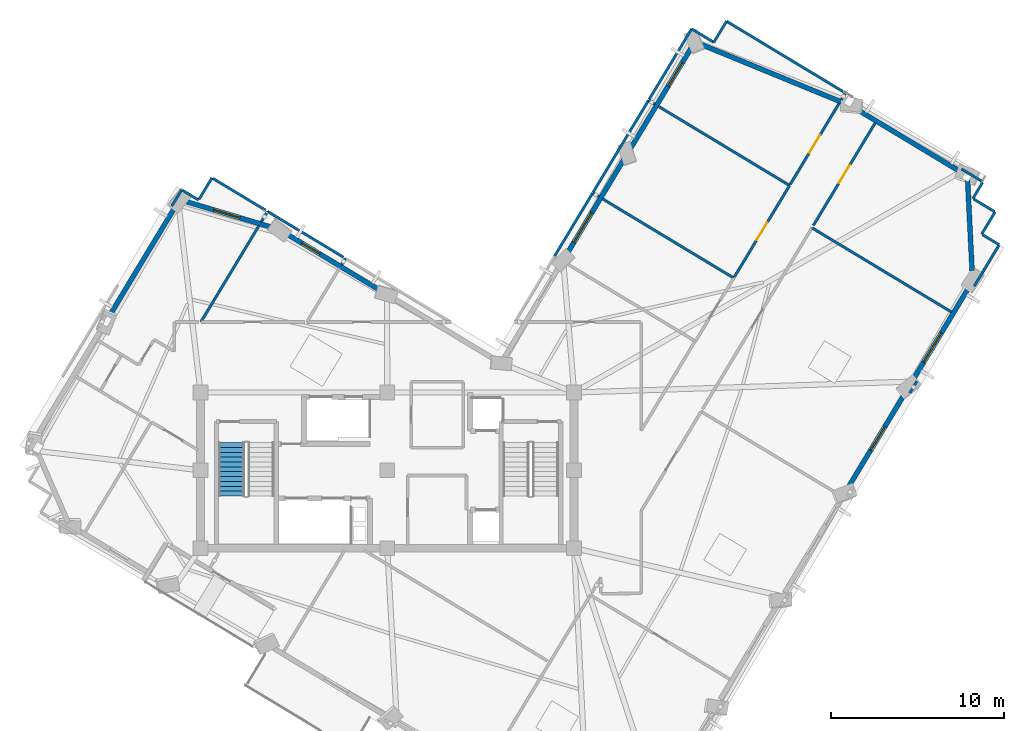
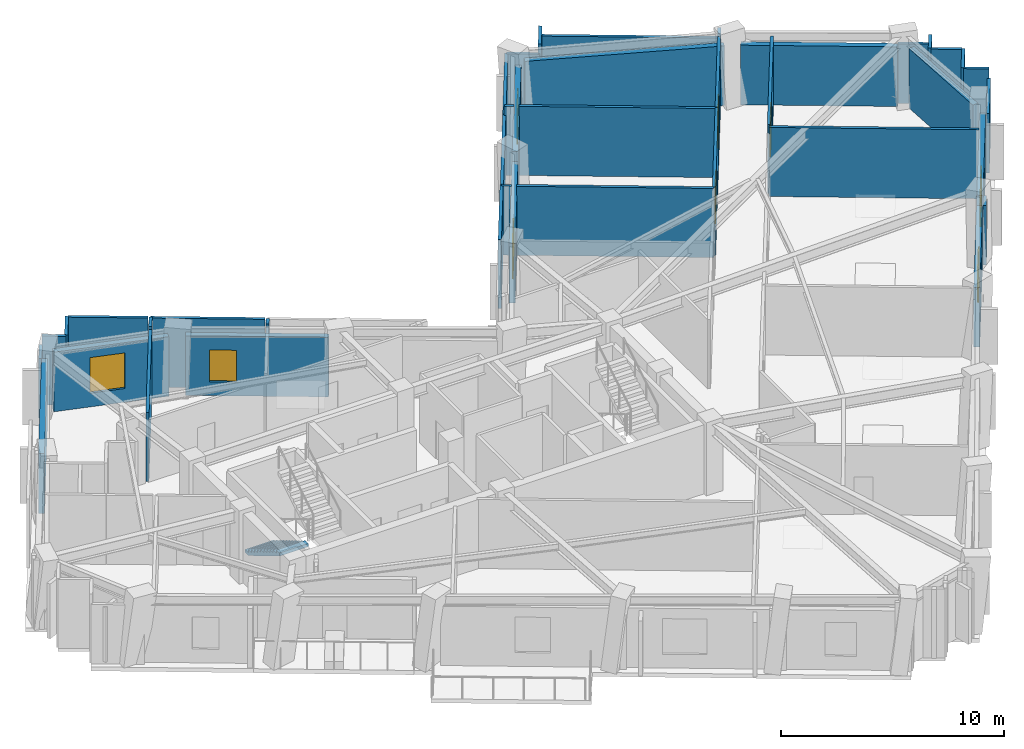
# One storey, part 7 of 12: 40 walls, 6 windows, 3 doors, 1 stair flight, 9 openings, 1 element without a shape of its own.
"""IFC4 building model written with IfcOpenShell, lengths in metres."""

from ifc_helpers import new_model, si_unit, direction, frame, frame_2d, origin, place, context, subcontext, project, spatial, polyline, rectangle, outline, extrude, material, layer, layer_set, type_object, element, fill, aggregate, save


model = new_model("IFC4")

# Units and contexts
model_context = context("Model", 3, precision=1e-05, world=origin(), true_north=direction((0.0, 1.0)))
body_context = subcontext(model_context, "Body", "Model", "MODEL_VIEW")
ifc_project = project(units=[si_unit("LENGTHUNIT", "METRE"), si_unit("AREAUNIT", "SQUARE_METRE"), si_unit("VOLUMEUNIT", "CUBIC_METRE"), si_unit("PLANEANGLEUNIT", "RADIAN"), si_unit("MASSUNIT", "GRAM", prefix="KILO")], contexts=[model_context])

# Site, building, storey
site_placement = place(None, origin())
site = spatial("IfcSite", under=ifc_project, at=site_placement, CompositionType="ELEMENT")
building_placement = place(site_placement, origin())
building = spatial("IfcBuilding", under=site, at=building_placement, Name="Gaonmaruhae Medical Tower", CompositionType="ELEMENT")
storey_placement = place(building_placement, frame((0.0, 0.0, 276.60009765625)))
storey = spatial("IfcBuildingStorey", under=building, at=storey_placement, Name="L66", CompositionType="ELEMENT", Elevation=276.60009765625)

# Wall, opening, window
ifc_material_1 = material(Name="Precast concrete C45/55", Category="concrete")
ifc_layer_1 = layer(ifc_material_1, 0.280029296875)
ifc_layer_set_1 = layer_set([ifc_layer_1], Name="Precast concrete C45/55")
wall_type_1 = type_object("IfcWallType", Name="EW-280 Upper Precast Masonry-Frame Facade Wall", PredefinedType="SOLIDWALL", material=ifc_layer_set_1)
wall_1_placement = place(storey_placement, frame((54.8154296875, 16.8935546875, 0.0), z_axis=(0.0, 0.0, 1.0), x_axis=(-0.516539738379, -0.856263218102, 0.0)))
wall_1 = element("IfcWall", 1, at=wall_1_placement, inside=storey, type_object=wall_type_1, Name="L66 Precast Masonry-Frame Wall S04-S05", PredefinedType="SOLIDWALL", context=body_context, shape_type="SweptSolid", body=[
    extrude(rectangle(XDim=6.40673828125, YDim=0.280029296875, at=frame_2d((3.203369140625, 0.0))), origin(), (0.0, 0.0, 1.0), 3.264892578125),
])
opening_1_placement = place(wall_1_placement, frame((2.40380859375, 0.0, 0.75)))
opening_1 = element("IfcOpeningElement", 2, at=opening_1_placement, cuts=wall_1, Name="Opening WN-01", PredefinedType="OPENING", context=body_context, shape_type="SweptSolid", body=[
    extrude(rectangle(XDim=1.60009765625, YDim=1.949951171875, at=frame_2d((0.800048828125, 0.97509765625))), frame((0.0, 0.14990234375, 0.0), z_axis=(0.0, -1.0, 0.0), x_axis=(1.0, 0.0, 0.0)), (0.0, 0.0, 1.0), 0.300048828125),
])
ifc_material_2 = material(Name="Anodised aluminium and Low-E double glazing", Category="aluminium")
window_type_1 = type_object("IfcWindowType", Name="WN-01 Ward Punched Acoustic Window 1600x1950", PartitioningType="SINGLE_PANEL", PredefinedType="WINDOW", material=ifc_material_2)
window_1_placement = place(opening_1_placement, origin())
window_1 = element("IfcWindow", 3, at=window_1_placement, inside=storey, type_object=window_type_1, Name="L66 Modular Facade Window S04", OverallHeight=1.949951171875, OverallWidth=1.60009765625, PartitioningType="SINGLE_PANEL", PredefinedType="WINDOW", context=body_context, shape_type="SweptSolid", body=[
    extrude(rectangle(XDim=1.60009765625, YDim=1.949951171875, at=frame_2d((0.800048828125, 0.97509765625))), frame((0.0, 0.030029296875, 0.0), z_axis=(0.0, -1.0, 0.0), x_axis=(1.0, 0.0, 0.0)), (0.0, 0.0, 1.0), 0.06005859375),
])
fill(opening_1, window_1)

wall_2_placement = place(storey_placement, frame((58.53955078125, 23.067138671875, 0.0), z_axis=(0.0, 0.0, 1.0), x_axis=(-0.51654717901, -0.856258729507, 0.0)))
wall_2 = element("IfcWall", 4, at=wall_2_placement, inside=storey, type_object=wall_type_1, Name="L66 Precast Masonry-Frame Wall S05-S06", PredefinedType="SOLIDWALL", context=body_context, shape_type="SweptSolid", body=[
    extrude(rectangle(XDim=6.41845703125, YDim=0.280029296875, at=frame_2d((3.209228515625, 0.0))), origin(), (0.0, 0.0, 1.0), 3.264892578125),
])
opening_2_placement = place(wall_2_placement, frame((3.292724609375, 0.0, 0.75)))
opening_2 = element("IfcOpeningElement", 5, at=opening_2_placement, cuts=wall_2, Name="Opening WN-02", PredefinedType="OPENING", context=body_context, shape_type="SweptSolid", body=[
    extrude(rectangle(XDim=2.0, YDim=1.949951171875, at=frame_2d((1.0, 0.97509765625))), frame((0.0, 0.14990234375, 0.0), z_axis=(0.0, -1.0, 0.0), x_axis=(1.0, 0.0, 0.0)), (0.0, 0.0, 1.0), 0.300048828125),
])
window_type_2 = type_object("IfcWindowType", Name="WN-02 Double-Bed Ward Punched Window 2000x1950", PartitioningType="SINGLE_PANEL", PredefinedType="WINDOW", material=ifc_material_2)
window_2_placement = place(opening_2_placement, origin())
window_2 = element("IfcWindow", 6, at=window_2_placement, inside=storey, type_object=window_type_2, Name="L66 Modular Facade Window S05", OverallHeight=1.949951171875, OverallWidth=2.0, PartitioningType="SINGLE_PANEL", PredefinedType="WINDOW", context=body_context, shape_type="SweptSolid", body=[
    extrude(rectangle(XDim=2.0, YDim=1.949951171875, at=frame_2d((1.0, 0.97509765625))), frame((0.0, 0.030029296875, 0.0), z_axis=(0.0, -1.0, 0.0), x_axis=(1.0, 0.0, 0.0)), (0.0, 0.0, 1.0), 0.06005859375),
])
fill(opening_2, window_2)

# Walls
wall_3_placement = place(storey_placement, frame((58.350341796875, 29.13037109375, 0.0), z_axis=(0.0, 0.0, 1.0), x_axis=(0.049760507536, -0.998761178606, 0.0)))
element("IfcWall", 7, at=wall_3_placement, inside=storey, type_object=wall_type_1, Name="L66 Precast Masonry-Frame Wall S06-E01", PredefinedType="SOLIDWALL", context=body_context, shape_type="SweptSolid", body=[
    extrude(rectangle(XDim=5.2939453125, YDim=0.280029296875, at=frame_2d((2.64697265625, 0.0))), origin(), (0.0, 0.0, 1.0), 3.264892578125),
])
wall_4_placement = place(storey_placement, frame((51.874755859375, 33.220947265625, 0.0), z_axis=(0.0, 0.0, 1.0), x_axis=(0.856264551428, -0.516537528131, 0.0)))
element("IfcWall", 8, at=wall_4_placement, inside=storey, type_object=wall_type_1, Name="L66 Precast Masonry-Frame Wall E01-E02", PredefinedType="SOLIDWALL", context=body_context, shape_type="SweptSolid", body=[
    extrude(rectangle(XDim=7.046142578125, YDim=0.280029296875, at=frame_2d((3.52294921875, 0.0))), origin(), (0.0, 0.0, 1.0), 3.264892578125),
])
wall_5_placement = place(storey_placement, frame((42.834716796875, 36.97119140625, 0.0), z_axis=(0.0, 0.0, 1.0), x_axis=(0.925149642296, -0.379602607157, 0.0)))
element("IfcWall", 9, at=wall_5_placement, inside=storey, type_object=wall_type_1, Name="L66 Precast Masonry-Frame Wall E02-E03", PredefinedType="SOLIDWALL", context=body_context, shape_type="SweptSolid", body=[
    extrude(rectangle(XDim=9.0361328125, YDim=0.280029296875, at=frame_2d((4.51806640625, 0.0))), origin(), (0.0, 0.0, 1.0), 3.264892578125),
])

# Wall, opening, window
wall_6_placement = place(storey_placement, frame((38.889892578125, 30.95556640625, 0.0), z_axis=(0.0, 0.0, 1.0), x_axis=(0.516522507193, 0.856273612558, 0.0)))
wall_6 = element("IfcWall", 10, at=wall_6_placement, inside=storey, type_object=wall_type_1, Name="L66 Precast Masonry-Frame Wall E03-EN01", PredefinedType="SOLIDWALL", context=body_context, shape_type="SweptSolid", body=[
    extrude(rectangle(XDim=6.77978515625, YDim=0.280029296875, at=frame_2d((3.389892578125, 0.0))), origin(), (0.0, 0.0, 1.0), 3.264892578125),
])
opening_3_placement = place(wall_6_placement, frame((4.152587890625, 0.0, 0.75)))
opening_3 = element("IfcOpeningElement", 11, at=opening_3_placement, cuts=wall_6, Name="Opening WN-01", PredefinedType="OPENING", context=body_context, shape_type="SweptSolid", body=[
    extrude(rectangle(XDim=1.60009765625, YDim=1.949951171875, at=frame_2d((0.800048828125, 0.97509765625))), frame((0.0, 0.14990234375, 0.0), z_axis=(0.0, -1.0, 0.0), x_axis=(1.0, 0.0, 0.0)), (0.0, 0.0, 1.0), 0.300048828125),
])
window_3_placement = place(opening_3_placement, origin())
window_3 = element("IfcWindow", 12, at=window_3_placement, inside=storey, type_object=window_type_1, Name="L66 Modular Facade Window E03", OverallHeight=1.949951171875, OverallWidth=1.60009765625, PartitioningType="SINGLE_PANEL", PredefinedType="WINDOW", context=body_context, shape_type="SweptSolid", body=[
    extrude(rectangle(XDim=1.60009765625, YDim=1.949951171875, at=frame_2d((0.800048828125, 0.97509765625))), frame((0.0, 0.030029296875, 0.0), z_axis=(0.0, -1.0, 0.0), x_axis=(1.0, 0.0, 0.0)), (0.0, 0.0, 1.0), 0.06005859375),
])
fill(opening_3, window_3)

wall_7_placement = place(storey_placement, frame((35.173583984375, 24.795166015625, 0.0), z_axis=(0.0, 0.0, 1.0), x_axis=(0.51653883109, 0.856263765423, 0.0)))
wall_7 = element("IfcWall", 13, at=wall_7_placement, inside=storey, type_object=wall_type_1, Name="L66 Precast Masonry-Frame Wall EN01-EN02", PredefinedType="SOLIDWALL", context=body_context, shape_type="SweptSolid", body=[
    extrude(rectangle(XDim=6.40966796875, YDim=0.280029296875, at=frame_2d((3.204833984375, 0.0))), origin(), (0.0, 0.0, 1.0), 3.264892578125),
])
opening_4_placement = place(wall_7_placement, frame((0.80078125, 0.0, 0.75)))
opening_4 = element("IfcOpeningElement", 14, at=opening_4_placement, cuts=wall_7, Name="Opening WN-02", PredefinedType="OPENING", context=body_context, shape_type="SweptSolid", body=[
    extrude(rectangle(XDim=2.0, YDim=1.949951171875, at=frame_2d((1.0, 0.97509765625))), frame((0.0, 0.14990234375, 0.0), z_axis=(0.0, -1.0, 0.0), x_axis=(1.0, 0.0, 0.0)), (0.0, 0.0, 1.0), 0.300048828125),
])
window_4_placement = place(opening_4_placement, origin())
window_4 = element("IfcWindow", 15, at=window_4_placement, inside=storey, type_object=window_type_2, Name="L66 Modular Facade Window EN01", OverallHeight=1.949951171875, OverallWidth=2.0, PartitioningType="SINGLE_PANEL", PredefinedType="WINDOW", context=body_context, shape_type="SweptSolid", body=[
    extrude(rectangle(XDim=2.0, YDim=1.949951171875, at=frame_2d((1.0, 0.97509765625))), frame((0.0, 0.030029296875, 0.0), z_axis=(0.0, -1.0, 0.0), x_axis=(1.0, 0.0, 0.0)), (0.0, 0.0, 1.0), 0.06005859375),
])
fill(opening_4, window_4)

wall_8_placement = place(storey_placement, frame((18.9453125, 25.99072265625, 0.0), z_axis=(0.0, 0.0, 1.0), x_axis=(0.856276634429, -0.516517497604, 0.0)))
wall_8 = element("IfcWall", 16, at=wall_8_placement, inside=storey, type_object=wall_type_1, Name="L66 Precast Masonry-Frame Wall NE01-NE02", PredefinedType="SOLIDWALL", context=body_context, shape_type="SweptSolid", body=[
    extrude(rectangle(XDim=6.424072265625, YDim=0.280029296875, at=frame_2d((3.2119140625, 0.0))), origin(), (0.0, 0.0, 1.0), 3.264892578125),
])
opening_5_placement = place(wall_8_placement, frame((1.076171875, 0.0, 0.75)))
opening_5 = element("IfcOpeningElement", 17, at=opening_5_placement, cuts=wall_8, Name="Opening WN-05", PredefinedType="OPENING", context=body_context, shape_type="SweptSolid", body=[
    extrude(rectangle(XDim=1.199951171875, YDim=1.75, at=frame_2d((0.60009765625, 0.875))), frame((0.0, 0.14990234375, 0.0), z_axis=(0.0, -1.0, 0.0), x_axis=(1.0, 0.0, 0.0)), (0.0, 0.0, 1.0), 0.300048828125),
])
window_type_3 = type_object("IfcWindowType", Name="WN-05 Support & Staff Punched Window 1200x1750", PartitioningType="SINGLE_PANEL", PredefinedType="WINDOW", material=ifc_material_2)
window_5_placement = place(opening_5_placement, origin())
window_5 = element("IfcWindow", 18, at=window_5_placement, inside=storey, type_object=window_type_3, Name="L66 Modular Facade Window NE01", OverallHeight=1.75, OverallWidth=1.199951171875, PartitioningType="SINGLE_PANEL", PredefinedType="WINDOW", context=body_context, shape_type="SweptSolid", body=[
    extrude(rectangle(XDim=1.199951171875, YDim=1.75, at=frame_2d((0.60009765625, 0.875))), frame((0.0, 0.030029296875, 0.0), z_axis=(0.0, -1.0, 0.0), x_axis=(1.0, 0.0, 0.0)), (0.0, 0.0, 1.0), 0.06005859375),
])
fill(opening_5, window_5)

wall_9_placement = place(storey_placement, frame((13.155517578125, 27.843017578125, 0.0), z_axis=(0.0, 0.0, 1.0), x_axis=(0.957728653831, -0.287673122885, 0.0)))
wall_9 = element("IfcWall", 19, at=wall_9_placement, inside=storey, type_object=wall_type_1, Name="L66 Precast Masonry-Frame Wall NE02-N01", PredefinedType="SOLIDWALL", context=body_context, shape_type="SweptSolid", body=[
    extrude(rectangle(XDim=5.302490234375, YDim=0.280029296875, at=frame_2d((2.6513671875, 0.0))), origin(), (0.0, 0.0, 1.0), 3.264892578125),
])
opening_6_placement = place(wall_9_placement, frame((1.675537109375, 0.0, 0.75)))
opening_6 = element("IfcOpeningElement", 20, at=opening_6_placement, cuts=wall_9, Name="Opening WN-01", PredefinedType="OPENING", context=body_context, shape_type="SweptSolid", body=[
    extrude(rectangle(XDim=1.60009765625, YDim=1.949951171875, at=frame_2d((0.800048828125, 0.97509765625))), frame((0.0, 0.14990234375, 0.0), z_axis=(0.0, -1.0, 0.0), x_axis=(1.0, 0.0, 0.0)), (0.0, 0.0, 1.0), 0.300048828125),
])
window_6_placement = place(opening_6_placement, origin())
window_6 = element("IfcWindow", 21, at=window_6_placement, inside=storey, type_object=window_type_1, Name="L66 Modular Facade Window NE02", OverallHeight=1.949951171875, OverallWidth=1.60009765625, PartitioningType="SINGLE_PANEL", PredefinedType="WINDOW", context=body_context, shape_type="SweptSolid", body=[
    extrude(rectangle(XDim=1.60009765625, YDim=1.949951171875, at=frame_2d((0.800048828125, 0.97509765625))), frame((0.0, 0.030029296875, 0.0), z_axis=(0.0, -1.0, 0.0), x_axis=(1.0, 0.0, 0.0)), (0.0, 0.0, 1.0), 0.06005859375),
])
fill(opening_6, window_6)

# Walls
wall_10_placement = place(storey_placement, frame((8.662109375, 21.114990234375, 0.0), z_axis=(0.0, 0.0, 1.0), x_axis=(0.516537123798, 0.85626479534, 0.0)))
element("IfcWall", 22, at=wall_10_placement, inside=storey, type_object=wall_type_1, Name="L66 Precast Masonry-Frame Wall N01-N02", PredefinedType="SOLIDWALL", context=body_context, shape_type="SweptSolid", body=[
    extrude(rectangle(XDim=7.434326171875, YDim=0.280029296875, at=frame_2d((3.71728515625, 0.0))), origin(), (0.0, 0.0, 1.0), 3.264892578125),
])
ifc_material_3 = material(Name="Gypsum board partition", Category="gypsum")
ifc_layer_2 = layer(ifc_material_3, 0.14990234375)
ifc_layer_set_2 = layer_set([ifc_layer_2], Name="Gypsum board partition")
wall_type_2 = type_object("IfcWallType", Name="PW-150 Rated Clinical Corridor Partition", PredefinedType="PARTITIONING", material=ifc_layer_set_2)
wall_11_placement = place(storey_placement, frame((49.35107421875, 26.322998046875, 0.0), z_axis=(0.0, 0.0, 1.0), x_axis=(0.856213909792, -0.516621467497, 0.0)))
element("IfcWall", 23, at=wall_11_placement, inside=storey, type_object=wall_type_2, Name="L66 Interior Partition L66-SUP03-26", PredefinedType="PARTITIONING", context=body_context, shape_type="SweptSolid", body=[
    extrude(rectangle(XDim=9.434326171875, YDim=0.14990234375, at=frame_2d((4.71728515625, 0.0))), origin(), (0.0, 0.0, 1.0), 3.77978515625),
])
wall_12_placement = place(storey_placement, frame((55.4208984375, 17.451904296875, 0.0), z_axis=(0.0, 0.0, 1.0), x_axis=(-0.516130040248, -0.856510234355, 0.0)))
element("IfcWall", 24, at=wall_12_placement, inside=storey, type_object=wall_type_2, Name="L66 Interior Partition L66-SUP03-27", PredefinedType="PARTITIONING", context=body_context, shape_type="SweptSolid", body=[
    extrude(rectangle(XDim=0.79052734375, YDim=0.14990234375, at=frame_2d((0.395263671875, 0.0))), origin(), (0.0, 0.0, 1.0), 3.264892578125),
])
wall_13_placement = place(storey_placement, frame((59.947998046875, 27.240966796875, 0.0), z_axis=(0.0, 0.0, 1.0), x_axis=(-0.516720521712, -0.856154134746, 0.0)))
element("IfcWall", 25, at=wall_13_placement, inside=storey, type_object=wall_type_2, Name="L66 Interior Partition L66-SUP04-29", PredefinedType="PARTITIONING", context=body_context, shape_type="SweptSolid", body=[
    extrude(rectangle(XDim=1.499755859375, YDim=0.14990234375, at=frame_2d((0.75, 0.0))), origin(), (0.0, 0.0, 1.0), 3.77978515625),
])
wall_14_placement = place(storey_placement, frame((59.216064453125, 25.930908203125, 0.0), z_axis=(0.0, 0.0, 1.0), x_axis=(0.856251889628, -0.516558517022, 0.0)))
element("IfcWall", 26, at=wall_14_placement, inside=storey, type_object=wall_type_2, Name="L66 Interior Partition L66-SUP04-30", PredefinedType="PARTITIONING", context=body_context, shape_type="SweptSolid", body=[
    extrude(rectangle(XDim=1.130615234375, YDim=0.14990234375, at=frame_2d((0.5654296875, 0.0))), origin(), (0.0, 0.0, 1.0), 3.77978515625),
])
wall_15_placement = place(storey_placement, frame((60.157958984375, 25.303955078125, 0.0), z_axis=(0.0, 0.0, 1.0), x_axis=(-0.516451858287, -0.85631622551, 0.0)))
element("IfcWall", 27, at=wall_15_placement, inside=storey, type_object=wall_type_2, Name="L66 Interior Partition L66-SUP04-31", PredefinedType="PARTITIONING", context=body_context, shape_type="SweptSolid", body=[
    extrude(rectangle(XDim=2.751220703125, YDim=0.14990234375, at=frame_2d((1.37548828125, 0.0))), origin(), (0.0, 0.0, 1.0), 3.264892578125),
])

# Wall, opening, door
wall_16_placement = place(storey_placement, frame((49.43310546875, 26.4599609375, 0.0), z_axis=(0.0, 0.0, 1.0), x_axis=(0.516637382187, 0.856204307001, 0.0)))
wall_16 = element("IfcWall", 28, at=wall_16_placement, inside=storey, type_object=wall_type_2, Name="L66 Interior Partition L66-SUP04-32", PredefinedType="PARTITIONING", context=body_context, shape_type="SweptSolid", body=[
    extrude(rectangle(XDim=6.935302734375, YDim=0.14990234375, at=frame_2d((3.4677734375, 0.0))), origin(), (0.0, 0.0, 1.0), 3.77978515625),
])
opening_7_placement = place(wall_16_placement, frame((2.86767578125, 0.0, 0.0)))
opening_7 = element("IfcOpeningElement", 29, at=opening_7_placement, cuts=wall_16, Name="Opening CD-02", PredefinedType="OPENING", context=body_context, shape_type="SweptSolid", body=[
    extrude(rectangle(XDim=1.199951171875, YDim=2.14990234375, at=frame_2d((0.60009765625, 1.074951171875))), frame((0.0, 0.0849609375, 0.0), z_axis=(0.0, -1.0, 0.0), x_axis=(1.0, 0.0, 0.0)), (0.0, 0.0, 1.0), 0.169921875),
])
ifc_material_4 = material(Name="Antimicrobial laminate timber fire door", Category="wood")
door_type = type_object("IfcDoorType", Name="CD-02 Clinical Treatment & Procedure Door 1200x2150", OperationType="NOTDEFINED", PredefinedType="DOOR", material=ifc_material_4)
door_1_placement = place(opening_7_placement, origin())
door_1 = element("IfcDoor", 30, at=door_1_placement, inside=storey, type_object=door_type, Name="L66 Clinical Biomedical Charting Office Door", OperationType="SINGLE_SWING_LEFT", OverallHeight=2.14990234375, OverallWidth=1.199951171875, PredefinedType="DOOR", context=body_context, shape_type="SweptSolid", body=[
    extrude(rectangle(XDim=1.199951171875, YDim=2.14990234375, at=frame_2d((0.60009765625, 1.074951171875))), frame((0.0, 0.02490234375, 0.0), z_axis=(0.0, -1.0, 0.0), x_axis=(1.0, 0.0, 0.0)), (0.0, 0.0, 1.0), 0.050048828125),
])
fill(opening_7, door_1)

# Walls
wall_17_placement = place(storey_placement, frame((57.99609375, 29.72705078125, 0.0), z_axis=(0.0, 0.0, 1.0), x_axis=(0.856142872217, -0.516739182134, 0.0)))
element("IfcWall", 31, at=wall_17_placement, inside=storey, type_object=wall_type_2, Name="L66 Interior Partition L66-SUP04-33", PredefinedType="PARTITIONING", context=body_context, shape_type="SweptSolid", body=[
    extrude(rectangle(XDim=1.455078125, YDim=0.14990234375, at=frame_2d((0.7275390625, 0.0))), origin(), (0.0, 0.0, 1.0), 3.264892578125),
])
wall_18_placement = place(storey_placement, frame((59.216064453125, 28.931884765625, 0.0), z_axis=(0.0, 0.0, 1.0), x_axis=(-0.516240696379, -0.856443543616, 0.0)))
element("IfcWall", 32, at=wall_18_placement, inside=storey, type_object=wall_type_2, Name="L66 Interior Partition L66-SUP04-34", PredefinedType="PARTITIONING", context=body_context, shape_type="SweptSolid", body=[
    extrude(rectangle(XDim=1.0693359375, YDim=0.14990234375, at=frame_2d((0.53466796875, 0.0))), origin(), (0.0, 0.0, 1.0), 3.77978515625),
])
wall_19_placement = place(storey_placement, frame((58.70703125, 27.989990234375, 0.0), z_axis=(0.0, 0.0, 1.0), x_axis=(0.856196976415, -0.516649530704, 0.0)))
element("IfcWall", 33, at=wall_19_placement, inside=storey, type_object=wall_type_2, Name="L66 Interior Partition L66-SUP04-35", PredefinedType="PARTITIONING", context=body_context, shape_type="SweptSolid", body=[
    extrude(rectangle(XDim=1.399169921875, YDim=0.14990234375, at=frame_2d((0.69970703125, 0.0))), origin(), (0.0, 0.0, 1.0), 3.77978515625),
])
wall_20_placement = place(storey_placement, frame((22.14990234375, 24.19189453125, 0.0), z_axis=(0.0, 0.0, 1.0), x_axis=(0.517629661398, 0.855604776541, 0.0)))
element("IfcWall", 34, at=wall_20_placement, inside=storey, type_object=wall_type_2, Name="L66 Interior Partition L66-IN01-60", PredefinedType="PARTITIONING", context=body_context, shape_type="SweptSolid", body=[
    extrude(rectangle(XDim=0.434814453125, YDim=0.14990234375, at=frame_2d((0.21728515625, 0.0))), origin(), (0.0, 0.0, 1.0), 3.77978515625),
])
wall_21_placement = place(storey_placement, frame((14.02099609375, 20.8798828125, 0.0), z_axis=(0.0, 0.0, 1.0), x_axis=(0.516557344827, 0.856252596788, 0.0)))
element("IfcWall", 35, at=wall_21_placement, inside=storey, type_object=wall_type_2, Name="L66 Interior Partition L66-IN02-65", PredefinedType="PARTITIONING", context=body_context, shape_type="SweptSolid", body=[
    extrude(rectangle(XDim=6.508544921875, YDim=0.14990234375, at=frame_2d((3.25439453125, 0.0))), origin(), (0.0, 0.0, 1.0), 3.77978515625),
])
wall_22_placement = place(storey_placement, frame((17.5048828125, 26.656982421875, 0.0), z_axis=(0.0, 0.0, 1.0), x_axis=(0.517223843864, 0.855850159396, 0.0)))
element("IfcWall", 36, at=wall_22_placement, inside=storey, type_object=wall_type_2, Name="L66 Interior Partition L66-IN02-66", PredefinedType="PARTITIONING", context=body_context, shape_type="SweptSolid", body=[
    extrude(rectangle(XDim=0.72314453125, YDim=0.14990234375, at=frame_2d((0.361572265625, 0.0))), origin(), (0.0, 0.0, 1.0), 3.77978515625),
])
wall_23_placement = place(storey_placement, frame((17.87890625, 27.27587890625, 0.0), z_axis=(0.0, 0.0, 1.0), x_axis=(0.856281286362, -0.516509785605, 0.0)))
element("IfcWall", 37, at=wall_23_placement, inside=storey, type_object=wall_type_2, Name="L66 Interior Partition L66-IN02-67", PredefinedType="PARTITIONING", context=body_context, shape_type="SweptSolid", body=[
    extrude(rectangle(XDim=5.13037109375, YDim=0.14990234375, at=frame_2d((2.565185546875, 0.0))), origin(), (0.0, 0.0, 1.0), 3.77978515625),
])
wall_24_placement = place(storey_placement, frame((12.339111328125, 27.5791015625, 0.0), z_axis=(0.0, 0.0, 1.0), x_axis=(0.516838479701, 0.856082931672, 0.0)))
element("IfcWall", 38, at=wall_24_placement, inside=storey, type_object=wall_type_2, Name="L66 Interior Partition L66-IN03-73", PredefinedType="PARTITIONING", context=body_context, shape_type="SweptSolid", body=[
    extrude(rectangle(XDim=1.1025390625, YDim=0.14990234375, at=frame_2d((0.55126953125, 0.0))), origin(), (0.0, 0.0, 1.0), 3.264892578125),
])
wall_25_placement = place(storey_placement, frame((12.951904296875, 28.4970703125, 0.0), z_axis=(0.0, 0.0, 1.0), x_axis=(0.8562252486, -0.516602674848, 0.0)))
element("IfcWall", 39, at=wall_25_placement, inside=storey, type_object=wall_type_2, Name="L66 Interior Partition L66-IN03-74", PredefinedType="PARTITIONING", context=body_context, shape_type="SweptSolid", body=[
    extrude(rectangle(XDim=1.08984375, YDim=0.14990234375, at=frame_2d((0.544921875, 0.0))), origin(), (0.0, 0.0, 1.0), 3.77978515625),
])
wall_26_placement = place(storey_placement, frame((13.910888671875, 27.97705078125, 0.0), z_axis=(0.0, 0.0, 1.0), x_axis=(0.516747988371, 0.856137557005, 0.0)))
element("IfcWall", 40, at=wall_26_placement, inside=storey, type_object=wall_type_2, Name="L66 Interior Partition L66-IN03-75", PredefinedType="PARTITIONING", context=body_context, shape_type="SweptSolid", body=[
    extrude(rectangle(XDim=1.449462890625, YDim=0.14990234375, at=frame_2d((0.724609375, 0.0))), origin(), (0.0, 0.0, 1.0), 3.77978515625),
])
wall_27_placement = place(storey_placement, frame((14.702880859375, 29.19189453125, 0.0), z_axis=(0.0, 0.0, 1.0), x_axis=(0.856326634789, -0.516434598522, 0.0)))
element("IfcWall", 41, at=wall_27_placement, inside=storey, type_object=wall_type_2, Name="L66 Interior Partition L66-IN03-76", PredefinedType="PARTITIONING", context=body_context, shape_type="SweptSolid", body=[
    extrude(rectangle(XDim=3.590087890625, YDim=0.14990234375, at=frame_2d((1.794921875, 0.0))), origin(), (0.0, 0.0, 1.0), 3.77978515625),
])
wall_28_placement = place(storey_placement, frame((34.47509765625, 24.700927734375, 0.0), z_axis=(0.0, 0.0, 1.0), x_axis=(0.516318106957, 0.856396877872, 0.0)))
element("IfcWall", 42, at=wall_28_placement, inside=storey, type_object=wall_type_2, Name="L66 Interior Partition L66-RM04-85", PredefinedType="PARTITIONING", context=body_context, shape_type="SweptSolid", body=[
    extrude(rectangle(XDim=4.252685546875, YDim=0.14990234375, at=frame_2d((2.12646484375, 0.0))), origin(), (0.0, 0.0, 1.0), 3.77978515625),
])
wall_29_placement = place(storey_placement, frame((36.6708984375, 28.343017578125, 0.0), z_axis=(0.0, 0.0, 1.0), x_axis=(0.856204755406, -0.516636639061, 0.0)))
element("IfcWall", 43, at=wall_29_placement, inside=storey, type_object=wall_type_2, Name="L66 Interior Partition L66-RM04-86", PredefinedType="PARTITIONING", context=body_context, shape_type="SweptSolid", body=[
    extrude(rectangle(XDim=0.435791015625, YDim=0.14990234375, at=frame_2d((0.2177734375, 0.0))), origin(), (0.0, 0.0, 1.0), 3.77978515625),
])
wall_30_placement = place(storey_placement, frame((37.240966796875, 27.9990234375, 0.0), z_axis=(0.0, 0.0, 1.0), x_axis=(0.856273135167, -0.516523298594, 0.0)))
element("IfcWall", 44, at=wall_30_placement, inside=storey, type_object=wall_type_2, Name="L66 Interior Partition L66-RM04-87", PredefinedType="PARTITIONING", context=body_context, shape_type="SweptSolid", body=[
    extrude(rectangle(XDim=8.865234375, YDim=0.14990234375, at=frame_2d((4.4326171875, 0.0))), origin(), (0.0, 0.0, 1.0), 3.77978515625),
])
wall_31_placement = place(storey_placement, frame((36.701904296875, 28.39404296875, 0.0), z_axis=(0.0, 0.0, 1.0), x_axis=(0.51662857817, 0.856209619321, 0.0)))
element("IfcWall", 45, at=wall_31_placement, inside=storey, type_object=wall_type_2, Name="L66 Interior Partition L66-RM05-89", PredefinedType="PARTITIONING", context=body_context, shape_type="SweptSolid", body=[
    extrude(rectangle(XDim=6.190185546875, YDim=0.14990234375, at=frame_2d((3.09521484375, 0.0))), origin(), (0.0, 0.0, 1.0), 3.264892578125),
])
wall_32_placement = place(storey_placement, frame((39.89990234375, 33.694091796875, 0.0), z_axis=(0.0, 0.0, 1.0), x_axis=(0.856598931091, -0.515982820696, 0.0)))
element("IfcWall", 46, at=wall_32_placement, inside=storey, type_object=wall_type_2, Name="L66 Interior Partition L66-RM05-90", PredefinedType="PARTITIONING", context=body_context, shape_type="SweptSolid", body=[
    extrude(rectangle(XDim=0.434326171875, YDim=0.14990234375, at=frame_2d((0.21728515625, 0.0))), origin(), (0.0, 0.0, 1.0), 3.77978515625),
])
wall_33_placement = place(storey_placement, frame((40.468994140625, 33.35107421875, 0.0), z_axis=(0.0, 0.0, 1.0), x_axis=(0.856273135167, -0.516523298594, 0.0)))
element("IfcWall", 47, at=wall_33_placement, inside=storey, type_object=wall_type_2, Name="L66 Interior Partition L66-RM05-91", PredefinedType="PARTITIONING", context=body_context, shape_type="SweptSolid", body=[
    extrude(rectangle(XDim=8.865234375, YDim=0.14990234375, at=frame_2d((4.4326171875, 0.0))), origin(), (0.0, 0.0, 1.0), 3.77978515625),
])

# Wall, opening, door
wall_34_placement = place(storey_placement, frame((48.06005859375, 28.77197265625, 0.0), z_axis=(0.0, 0.0, 1.0), x_axis=(-0.516512910077, -0.85627940167, 0.0)))
wall_34 = element("IfcWall", 48, at=wall_34_placement, inside=storey, type_object=wall_type_2, Name="L66 Interior Partition L66-RM05-92", PredefinedType="PARTITIONING", context=body_context, shape_type="SweptSolid", body=[
    extrude(rectangle(XDim=6.189697265625, YDim=0.14990234375, at=frame_2d((3.0947265625, 0.0))), origin(), (0.0, 0.0, 1.0), 3.77978515625),
])
opening_8_placement = place(wall_34_placement, frame((2.494873046875, 0.0, 0.0)))
opening_8 = element("IfcOpeningElement", 49, at=opening_8_placement, cuts=wall_34, Name="Opening CD-02", PredefinedType="OPENING", context=body_context, shape_type="SweptSolid", body=[
    extrude(rectangle(XDim=1.199951171875, YDim=2.14990234375, at=frame_2d((0.60009765625, 1.074951171875))), frame((0.0, 0.0849609375, 0.0), z_axis=(0.0, -1.0, 0.0), x_axis=(1.0, 0.0, 0.0)), (0.0, 0.0, 1.0), 0.169921875),
])
door_2_placement = place(opening_8_placement, origin())
door_2 = element("IfcDoor", 50, at=door_2_placement, inside=storey, type_object=door_type, Name="L66 Clinical Case Review Office Door", OperationType="SINGLE_SWING_RIGHT", OverallHeight=2.14990234375, OverallWidth=1.199951171875, PredefinedType="DOOR", context=body_context, shape_type="SweptSolid", body=[
    extrude(rectangle(XDim=1.199951171875, YDim=2.14990234375, at=frame_2d((0.60009765625, 1.074951171875))), frame((0.0, 0.02490234375, 0.0), z_axis=(0.0, -1.0, 0.0), x_axis=(1.0, 0.0, 0.0)), (0.0, 0.0, 1.0), 0.050048828125),
])
fill(opening_8, door_2)

# Walls
wall_35_placement = place(storey_placement, frame((39.930908203125, 33.74609375, 0.0), z_axis=(0.0, 0.0, 1.0), x_axis=(0.516609331503, 0.856221232278, 0.0)))
element("IfcWall", 51, at=wall_35_placement, inside=storey, type_object=wall_type_2, Name="L66 Interior Partition L66-RM06-93", PredefinedType="PARTITIONING", context=body_context, shape_type="SweptSolid", body=[
    extrude(rectangle(XDim=4.769775390625, YDim=0.14990234375, at=frame_2d((2.384765625, 0.0))), origin(), (0.0, 0.0, 1.0), 3.264892578125),
])
wall_36_placement = place(storey_placement, frame((42.39501953125, 37.830078125, 0.0), z_axis=(0.0, 0.0, 1.0), x_axis=(0.856082111936, -0.516839837497, 0.0)))
element("IfcWall", 52, at=wall_36_placement, inside=storey, type_object=wall_type_2, Name="L66 Interior Partition L66-RM06-94", PredefinedType="PARTITIONING", context=body_context, shape_type="SweptSolid", body=[
    extrude(rectangle(XDim=1.499755859375, YDim=0.14990234375, at=frame_2d((0.75, 0.0))), origin(), (0.0, 0.0, 1.0), 3.264892578125),
])
wall_37_placement = place(storey_placement, frame((43.678955078125, 37.054931640625, 0.0), z_axis=(0.0, 0.0, 1.0), x_axis=(0.516315063956, 0.856398712477, 0.0)))
element("IfcWall", 53, at=wall_37_placement, inside=storey, type_object=wall_type_2, Name="L66 Interior Partition L66-RM06-95", PredefinedType="PARTITIONING", context=body_context, shape_type="SweptSolid", body=[
    extrude(rectangle(XDim=1.419921875, YDim=0.14990234375, at=frame_2d((0.7099609375, 0.0))), origin(), (0.0, 0.0, 1.0), 3.77978515625),
])
wall_38_placement = place(storey_placement, frame((44.412109375, 38.27099609375, 0.0), z_axis=(0.0, 0.0, 1.0), x_axis=(0.856315640281, -0.51645282864, 0.0)))
element("IfcWall", 54, at=wall_38_placement, inside=storey, type_object=wall_type_2, Name="L66 Interior Partition L66-RM06-96", PredefinedType="PARTITIONING", context=body_context, shape_type="SweptSolid", body=[
    extrude(rectangle(XDim=8.02978515625, YDim=0.14990234375, at=frame_2d((4.014892578125, 0.0))), origin(), (0.0, 0.0, 1.0), 3.264892578125),
])
wall_39_placement = place(storey_placement, frame((51.2880859375, 34.1240234375, 0.0), z_axis=(0.0, 0.0, 1.0), x_axis=(-0.516425909751, -0.856331874765, 0.0)))
element("IfcWall", 55, at=wall_39_placement, inside=storey, type_object=wall_type_2, Name="L66 Interior Partition L66-RM06-97", PredefinedType="PARTITIONING", context=body_context, shape_type="SweptSolid", body=[
    extrude(rectangle(XDim=0.464599609375, YDim=0.14990234375, at=frame_2d((0.232421875, 0.0))), origin(), (0.0, 0.0, 1.0), 3.77978515625),
])

# Wall, opening, door
wall_40_placement = place(storey_placement, frame((50.927001953125, 33.52587890625, 0.0), z_axis=(0.0, 0.0, 1.0), x_axis=(-0.516396929878, -0.856349350915, 0.0)))
wall_40 = element("IfcWall", 56, at=wall_40_placement, inside=storey, type_object=wall_type_2, Name="L66 Interior Partition L66-RM06-98", PredefinedType="PARTITIONING", context=body_context, shape_type="SweptSolid", body=[
    extrude(rectangle(XDim=5.49169921875, YDim=0.14990234375, at=frame_2d((2.745849609375, 0.0))), origin(), (0.0, 0.0, 1.0), 3.77978515625),
])
opening_9_placement = place(wall_40_placement, frame((2.14599609375, 0.0, 0.0)))
opening_9 = element("IfcOpeningElement", 57, at=opening_9_placement, cuts=wall_40, Name="Opening CD-02", PredefinedType="OPENING", context=body_context, shape_type="SweptSolid", body=[
    extrude(rectangle(XDim=1.199951171875, YDim=2.14990234375, at=frame_2d((0.60009765625, 1.074951171875))), frame((0.0, 0.0849609375, 0.0), z_axis=(0.0, -1.0, 0.0), x_axis=(1.0, 0.0, 0.0)), (0.0, 0.0, 1.0), 0.169921875),
])
door_3_placement = place(opening_9_placement, origin())
door_3 = element("IfcDoor", 58, at=door_3_placement, inside=storey, type_object=door_type, Name="L66 Care Team Clinical Charting Office Door", OperationType="SINGLE_SWING_RIGHT", OverallHeight=2.14990234375, OverallWidth=1.199951171875, PredefinedType="DOOR", context=body_context, shape_type="SweptSolid", body=[
    extrude(rectangle(XDim=1.199951171875, YDim=2.14990234375, at=frame_2d((0.60009765625, 1.074951171875))), frame((0.0, 0.02490234375, 0.0), z_axis=(0.0, -1.0, 0.0), x_axis=(1.0, 0.0, 0.0)), (0.0, 0.0, 1.0), 0.050048828125),
])
fill(opening_9, door_3)

# Stair, stair flight
ifc_material_5 = material(Name="Concrete C40/50", Category="concrete")
stair_type = type_object("IfcStairType", Name="ST-T1 Primary Core Escape Dogleg Stair", PredefinedType="TWO_QUARTER_TURN_STAIR", material=ifc_material_5)
stair_placement = place(storey_placement, origin())
stair = element("IfcStair", 59, at=stair_placement, inside=storey, type_object=stair_type, Name="L66 Protected Escape Stair ST-01", PredefinedType="TWO_QUARTER_TURN_STAIR")
stair_flight_type = type_object("IfcStairFlightType", Name="SF-T1 Primary Core Precast Stair Flight", PredefinedType="STRAIGHT", material=ifc_material_5)
stair_flight_placement = place(storey_placement, frame((15.800048828125, 13.89990234375, 0.0), z_axis=(0.0, 0.0, 1.0), x_axis=(0.0, -1.0, 0.0)))
stair_flight = element("IfcStairFlight", 60, at=stair_flight_placement, type_object=stair_flight_type, Name="ST-01 flight 1", NumberOfRisers=12, NumberOfTreads=11, PredefinedType="STRAIGHT", RiserHeight=0.166666667, TreadLength=0.28, context=body_context, shape_type="SweptSolid", body=[
    extrude(outline(polyline([(0.0, 0.0), (0.0, 0.166748046875), (0.280029296875, 0.166748046875), (0.280029296875, 0.333251953125), (0.56005859375, 0.333251953125), (0.56005859375, 0.5), (0.840087890625, 0.5), (0.840087890625, 0.666748046875), (1.1201171875, 0.666748046875), (1.1201171875, 0.833251953125), (1.39990234375, 0.833251953125), (1.39990234375, 1.0), (1.679931640625, 1.0), (1.679931640625, 1.166748046875), (1.9599609375, 1.166748046875), (1.9599609375, 1.333251953125), (2.239990234375, 1.333251953125), (2.239990234375, 1.5), (2.52001953125, 1.5), (2.52001953125, 1.666748046875), (2.800048828125, 1.666748046875), (2.800048828125, 1.833251953125), (3.080078125, 1.833251953125), (3.080078125, 2.0), (3.080078125, 1.658935546875), (0.29296875, 0.0), (0.0, 0.0)])), frame((0.0, 0.75, 0.0), z_axis=(0.0, -1.0, 0.0), x_axis=(1.0, 0.0, 0.0)), (0.0, 0.0, 1.0), 1.5),
])
aggregate(stair, [stair_flight])

save(model, "model.ifc")
